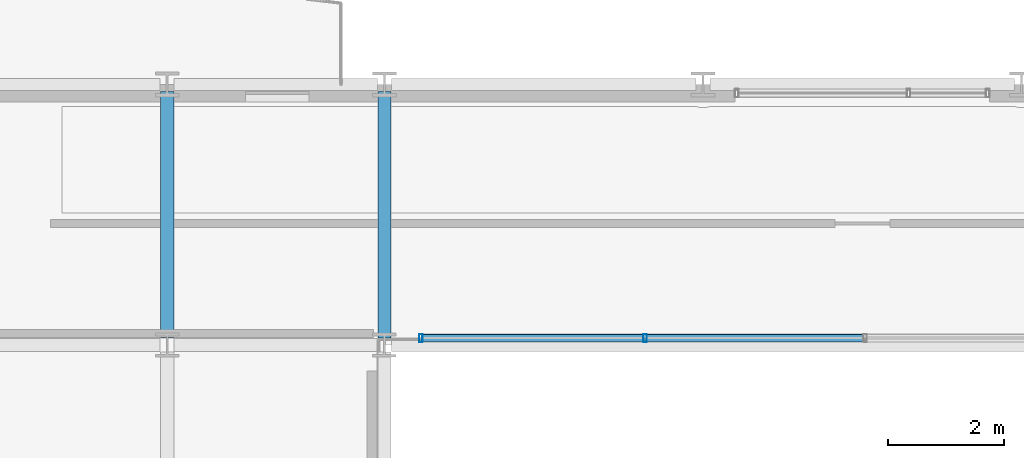
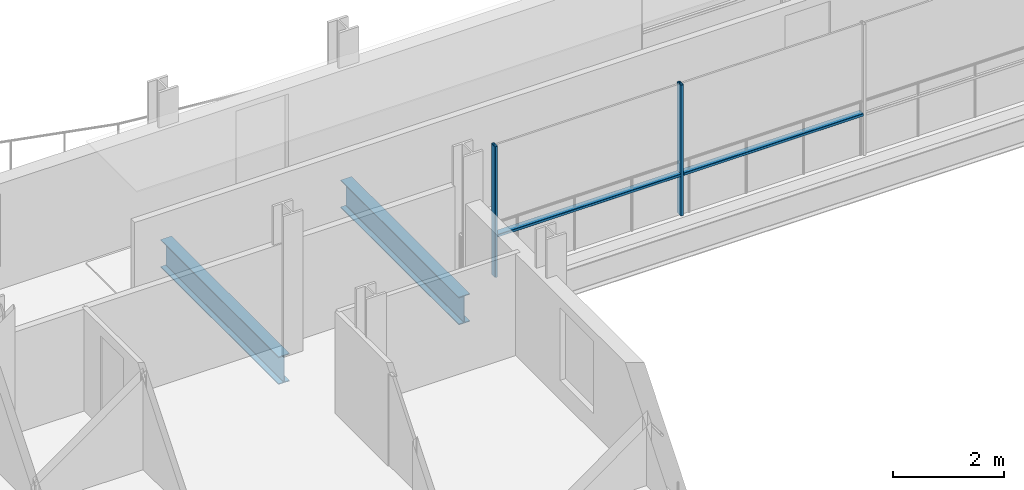
# One storey, part 9 of 41: 4 members, 2 beams, 1 element without a shape of its own.
"""IFC4 building model written with IfcOpenShell, lengths in metres."""

import ifcopenshell
import ifcopenshell.guid

model = None  # the IFC model being written
_history = None  # IfcOwnerHistory: only IFC2X3 demands one
_inside = {}  # id of a spatial element -> (the spatial element, [elements in it])
_under = {}  # id of a project, library or spatial element -> (it, [spatial elements below it])
_declared = {}  # id of a project -> (the project, [libraries it declares])
_typed = {}  # id of a type object -> (the type object, [elements of that type])
_made_of = {}  # id of a material, layer set ... -> (it, [elements and type objects made of it])


def new_model(schema):
    """Start an empty IFC model of exactly this schema.

    Asked for "IFC4X3", IfcOpenShell would pick the latest addendum, in which some entities
    have other attributes; the version numbers below select the first issue.
    IFC2X3 requires an IfcOwnerHistory on every rooted entity: one is made here for all.
    """
    global model, _history
    if schema == "IFC4X3":
        model = ifcopenshell.file(schema_version=(4, 3, 0, 0))
    else:
        model = ifcopenshell.file(schema=schema)
    _inside.clear()
    _under.clear()
    _declared.clear()
    _typed.clear()
    _made_of.clear()
    _history = None
    if model.schema == "IFC2X3":
        org = make("IfcOrganization", Name="unknown")
        user = make(
            "IfcPersonAndOrganization",
            ThePerson=make("IfcPerson", FamilyName="unknown"),
            TheOrganization=org,
        )
        app = make(
            "IfcApplication",
            ApplicationDeveloper=org,
            Version="unknown",
            ApplicationFullName="unknown",
            ApplicationIdentifier="unknown",
        )
        _history = make(
            "IfcOwnerHistory",
            OwningUser=user,
            OwningApplication=app,
            ChangeAction="ADDED",
            CreationDate=0,
        )
    return model


def make(cls, **values):
    """One entity of the class cls with the attributes given. An attribute that is None is left unset."""
    return model.create_entity(
        cls, **{name: value for name, value in values.items() if value is not None}
    )


def rooted(cls, **values):
    """An entity with a GlobalId (a new one), such as an element, a storey or a relation."""
    return make(cls, GlobalId=ifcopenshell.guid.new(), OwnerHistory=_history, **values)


def si_unit(unit_type, name, prefix=None):
    """IfcSIUnit, for example si_unit("LENGTHUNIT", "METRE", prefix="MILLI")."""
    return make("IfcSIUnit", UnitType=unit_type, Prefix=prefix, Name=name)


def assignment(units):
    """IfcUnitAssignment: the units of a project."""
    return None if units is None else make("IfcUnitAssignment", Units=units)


def point(xyz):
    """IfcCartesianPoint."""
    return None if xyz is None else make("IfcCartesianPoint", Coordinates=xyz)


def direction(xyz):
    """IfcDirection."""
    return None if xyz is None else make("IfcDirection", DirectionRatios=xyz)


def frame(location, z_axis=None, x_axis=None):
    """IfcAxis2Placement3D, a coordinate frame: its origin and axes. An axis left out is left unset."""
    return make(
        "IfcAxis2Placement3D",
        Location=point(location),
        Axis=direction(z_axis),
        RefDirection=direction(x_axis),
    )


def frame_2d(location, x_axis=None):
    """IfcAxis2Placement2D, a coordinate frame in the plane: its origin and x axis."""
    return make(
        "IfcAxis2Placement2D", Location=point(location), RefDirection=direction(x_axis)
    )


def origin():
    """The frame at (0, 0, 0) with its axes left unset."""
    return frame((0.0, 0.0, 0.0))


def origin_2d():
    """The frame at (0, 0) in the plane with its x axis left unset."""
    return frame_2d((0.0, 0.0))


def place(relative_to, where):
    """IfcLocalPlacement: puts the frame where relative to a parent placement (None: the world)."""
    return make(
        "IfcLocalPlacement", PlacementRelTo=relative_to, RelativePlacement=where
    )


def context(
    kind, dimensions, precision=None, world=None, true_north=None, identifier=None
):
    """IfcGeometricRepresentationContext, for example the 3D "Model" context."""
    return make(
        "IfcGeometricRepresentationContext",
        ContextIdentifier=identifier,
        ContextType=kind,
        CoordinateSpaceDimension=dimensions,
        Precision=precision,
        WorldCoordinateSystem=world,
        TrueNorth=true_north,
    )


def subcontext(parent, identifier, kind, view, scale=None):
    """IfcGeometricRepresentationSubContext, for example "Body" below "Model"."""
    return make(
        "IfcGeometricRepresentationSubContext",
        ContextIdentifier=identifier,
        ContextType=kind,
        ParentContext=parent,
        TargetScale=scale,
        TargetView=view,
    )


def project(units=None, contexts=None):
    """IfcProject with its units and contexts."""
    return rooted(
        "IfcProject",
        Name="project",
        RepresentationContexts=contexts,
        UnitsInContext=assignment(units),
    )


def spatial(cls, under=None, at=None, **own):
    """A site, building, storey or space (cls), placed at a placement, below another one or the project."""
    s = rooted(cls, ObjectPlacement=at, **own)
    if under is not None:
        _under.setdefault(under.id(), (under, []))[1].append(s)
    return s


def profile(cls, at=None, kind="AREA", **sizes):
    """A parametric profile (cls). Its sizes go by their IFC names, for example OverallWidth=200.0."""
    return make(cls, ProfileType=kind, Position=at, **sizes)


def hollow_rectangle(**sizes):
    """IfcRectangleHollowProfileDef."""
    return profile("IfcRectangleHollowProfileDef", **sizes)


def i_section(**sizes):
    """IfcIShapeProfileDef."""
    return profile("IfcIShapeProfileDef", **sizes)


def extrude(swept, where, along, depth):
    """IfcExtrudedAreaSolid: the profile swept, set in the frame where, extruded along a direction by depth."""
    return make(
        "IfcExtrudedAreaSolid",
        SweptArea=swept,
        Position=where,
        ExtrudedDirection=direction(along),
        Depth=depth,
    )


def shape(context_of_items, identifier, shape_type, items):
    """IfcShapeRepresentation: the items that make up one representation, for example the "Body"."""
    return make(
        "IfcShapeRepresentation",
        ContextOfItems=context_of_items,
        RepresentationIdentifier=identifier,
        RepresentationType=shape_type,
        Items=items,
    )


def material(Name=None, Category=None):
    """IfcMaterial."""
    return make("IfcMaterial", Name=Name, Category=Category)


def layer(
    of_material, thickness, ventilated=None, Name=None, Category=None, Priority=None
):
    """IfcMaterialLayer: one layer of a wall or slab, of a material (None: an air gap)."""
    return make(
        "IfcMaterialLayer",
        Material=of_material,
        LayerThickness=thickness,
        IsVentilated=ventilated,
        Name=Name,
        Category=Category,
        Priority=Priority,
    )


def layer_set(layers, Name=None):
    """IfcMaterialLayerSet."""
    return make("IfcMaterialLayerSet", MaterialLayers=layers, LayerSetName=Name)


def material_profile(
    of_material, cross_section, Name=None, Category=None, Priority=None
):
    """IfcMaterialProfile: a cross section and its material."""
    return make(
        "IfcMaterialProfile",
        Name=Name,
        Material=of_material,
        Profile=cross_section,
        Priority=Priority,
        Category=Category,
    )


def profile_set(profiles, Name=None, composite=None):
    """IfcMaterialProfileSet."""
    return make(
        "IfcMaterialProfileSet",
        Name=Name,
        MaterialProfiles=profiles,
        CompositeProfile=composite,
    )


def made_of(thing, what):
    """Note that an element or type object is made of a material, layer set ...; save() writes the relation."""
    if what is not None:
        _made_of.setdefault(what.id(), (what, []))[1].append(thing)
    return thing


def type_object(cls, material=None, **own):
    """A type object (cls), such as IfcWallType, which elements share."""
    return made_of(rooted(cls, **own), material)


def element(
    cls,
    number,
    at=None,
    inside=None,
    cuts=None,
    type_object=None,
    material=None,
    context=None,
    identifier="Body",
    shape_type=None,
    held_by="IfcProductDefinitionShape",
    body=None,
    shapes=None,
    **own,
):
    """One element of the class cls, such as IfcWall. Its Tag is "e" and its number.

    at: its placement. inside: the storey or other place that contains it. cuts: it is an
    opening in that element (IfcRelVoidsElement). A single representation is given by context,
    identifier, shape_type and body (its items); several are given by shapes. held_by: the class
    of the entity that holds the representations. save() writes the other relations.
    """
    e = rooted(cls, Tag="e%d" % number, ObjectPlacement=at, **own)
    if body is not None:
        shapes = [shape(context, identifier, shape_type, body)]
    if shapes is not None:
        e.Representation = make(held_by, Representations=shapes)
    if inside is not None:
        _inside.setdefault(inside.id(), (inside, []))[1].append(e)
    if cuts is not None:
        rooted(
            "IfcRelVoidsElement", RelatingBuildingElement=cuts, RelatedOpeningElement=e
        )
    if type_object is not None:
        _typed.setdefault(type_object.id(), (type_object, []))[1].append(e)
    return made_of(e, material)


def aggregate(whole, parts):
    """IfcRelAggregates: a whole, such as a stair, and the parts it consists of."""
    return rooted("IfcRelAggregates", RelatingObject=whole, RelatedObjects=parts)


def save(model, path):
    """Write the relations noted so far, then the file.

    IfcRelAggregates (storeys below a building ...), IfcRelContainedInSpatialStructure (elements
    in a storey), IfcRelDefinesByType, IfcRelAssociatesMaterial and IfcRelDeclares: one each for
    every whole, place, type object, material and project.
    """
    for whole, parts in _under.values():
        aggregate(whole, parts)
    for where, things in _inside.values():
        rooted(
            "IfcRelContainedInSpatialStructure",
            RelatedElements=things,
            RelatingStructure=where,
        )
    for kind, things in _typed.values():
        rooted("IfcRelDefinesByType", RelatedObjects=things, RelatingType=kind)
    for what, things in _made_of.values():
        rooted("IfcRelAssociatesMaterial", RelatedObjects=things, RelatingMaterial=what)
    for by, libraries in _declared.values():
        rooted("IfcRelDeclares", RelatingContext=by, RelatedDefinitions=libraries)
    model.write(path)


model = new_model("IFC4")

# Units and contexts
model_context = context("Model", 3, precision=1e-05, world=origin(), true_north=direction((0.0, 1.0)))
body_context = subcontext(model_context, "Body", "Model", "MODEL_VIEW")
ifc_project = project(units=[si_unit("LENGTHUNIT", "METRE"), si_unit("AREAUNIT", "SQUARE_METRE"), si_unit("VOLUMEUNIT", "CUBIC_METRE"), si_unit("PLANEANGLEUNIT", "RADIAN"), si_unit("MASSUNIT", "GRAM", prefix="KILO")], contexts=[model_context])

# Site, building, storey
site_placement = place(None, origin())
site = spatial("IfcSite", under=ifc_project, at=site_placement, CompositionType="ELEMENT")
building_placement = place(site_placement, origin())
building = spatial("IfcBuilding", under=site, at=building_placement, Name="Brevholm Reach", CompositionType="ELEMENT")
storey_placement = place(building_placement, frame((0.0, 0.0, 112.800048828125)))
storey = spatial("IfcBuildingStorey", under=building, at=storey_placement, Name="L33", CompositionType="ELEMENT", Elevation=112.800048828125)

# Beams
ifc_material_1 = material(Name="Structural Steel S355J2", Category="steel")
ifc_material_profile_1 = material_profile(ifc_material_1, i_section(OverallWidth=0.22900390625, OverallDepth=0.6123046875, WebThickness=0.011962890625, FlangeThickness=0.01953125, FilletRadius=0.0126953125, at=origin_2d()), Name="UKB 610x229x125")
ifc_profile_set_1 = profile_set([ifc_material_profile_1], Name="Structural Steel S355J2")
beam_type = type_object("IfcBeamType", Name="BM-SP610", PredefinedType="SPANDREL", material=ifc_profile_set_1)
for number, where, z_axis, x_axis, name in (
    (1, (18.0, 26.6201171875, -0.526123046875), (0.0, 1.0, 0.0), (-1.0, 0.0, 0.0), "L33 SP-01 Framing Beam"),
    (2, (21.75, 26.6201171875, -0.526123046875), (0.0, 1.0, 0.0), (-1.0, 0.0, 0.0), "L33 SP-01 Framing Beam"),
):
    element("IfcBeam", number, at=place(storey_placement, frame(where, z_axis=z_axis, x_axis=x_axis)), inside=storey, type_object=beam_type, Name=name, PredefinedType="SPANDREL", context=body_context, shape_type="SweptSolid", body=[
        extrude(i_section(OverallWidth=0.22900390625, OverallDepth=0.6123046875, WebThickness=0.011962890625, FlangeThickness=0.01953125, FilletRadius=0.0126953125, at=origin_2d()), origin(), (0.0, 0.0, 1.0), 4.259765625),
    ])

# Curtain wall, members
ifc_material_2 = material(Name="Dark Anodised Aluminium 6063-T6 and Solar-Control Glass", Category="aluminium")
ifc_layer = layer(ifc_material_2, 0.139892578125)
ifc_layer_set = layer_set([ifc_layer], Name="Dark Anodised Aluminium 6063-T6 and Solar-Control Glass")
curtain_wall_type = type_object("IfcCurtainWallType", Name="CW-02", PredefinedType="NOTDEFINED", material=ifc_layer_set)
curtain_wall_placement = place(storey_placement, origin())
curtain_wall = element("IfcCurtainWall", 3, at=curtain_wall_placement, inside=storey, type_object=curtain_wall_type, Name="L33 Curtain Wall CW-02", PredefinedType="NOTDEFINED")
ifc_material_3 = material(Name="Dark Anodised Aluminium 6063-T6", Category="aluminium")
ifc_material_profile_2 = material_profile(ifc_material_3, hollow_rectangle(XDim=0.06005859375, YDim=0.139892578125, WallThickness=0.0048828125, InnerFilletRadius=0.0048828125, OuterFilletRadius=0.010009765625, at=origin_2d()), Name="RHS 140x60x5")
ifc_profile_set_2 = profile_set([ifc_material_profile_2], Name="Dark Anodised Aluminium 6063-T6")
member_type_1 = type_object("IfcMemberType", Name="CWM-140", PredefinedType="MULLION", material=ifc_profile_set_2)
member_1_placement = place(storey_placement, frame((26.25, 26.6201171875, 0.0), z_axis=(0.0, 0.0, 1.0), x_axis=(-1.0, 0.0, 0.0)))
member_1 = element("IfcMember", 4, at=member_1_placement, type_object=member_type_1, Name="CM-140 Mullion 4", PredefinedType="MULLION", context=body_context, shape_type="SweptSolid", body=[
    extrude(hollow_rectangle(XDim=0.06005859375, YDim=0.139892578125, WallThickness=0.0048828125, InnerFilletRadius=0.0048828125, OuterFilletRadius=0.010009765625, at=origin_2d()), origin(), (0.0, 0.0, 1.0), 2.8798828125),
])
member_2_placement = place(storey_placement, frame((22.3798828125, 26.6201171875, 0.0), z_axis=(0.0, 0.0, 1.0), x_axis=(-1.0, 0.0, 0.0)))
member_2 = element("IfcMember", 5, at=member_2_placement, type_object=member_type_1, Name="CM-140 Mullion 5", PredefinedType="MULLION", context=body_context, shape_type="SweptSolid", body=[
    extrude(hollow_rectangle(XDim=0.06005859375, YDim=0.139892578125, WallThickness=0.0048828125, InnerFilletRadius=0.0048828125, OuterFilletRadius=0.010009765625, at=origin_2d()), origin(), (0.0, 0.0, 1.0), 2.8798828125),
])
ifc_material_4 = material(Name="Dark Anodised Aluminium 6063-T6", Category="aluminium")
ifc_material_profile_3 = material_profile(ifc_material_4, hollow_rectangle(XDim=0.06005859375, YDim=0.139892578125, WallThickness=0.0048828125, InnerFilletRadius=0.0048828125, OuterFilletRadius=0.010009765625, at=origin_2d()), Name="RHS 140x60x5")
ifc_profile_set_3 = profile_set([ifc_material_profile_3], Name="Dark Anodised Aluminium 6063-T6")
member_type_2 = type_object("IfcMemberType", Name="CWT-140", PredefinedType="NOTDEFINED", material=ifc_profile_set_3)
member_3_placement = place(storey_placement, frame((30.02001953125, 26.6201171875, 0.89990234375), z_axis=(-1.0, 0.0, 0.0), x_axis=(0.0, 0.0, 1.0)))
member_3 = element("IfcMember", 6, at=member_3_placement, type_object=member_type_2, Name="CT-140 Transom 3.1", ObjectType="TRANSOM", PredefinedType="USERDEFINED", context=body_context, shape_type="SweptSolid", body=[
    extrude(hollow_rectangle(XDim=0.06005859375, YDim=0.139892578125, WallThickness=0.0048828125, InnerFilletRadius=0.0048828125, OuterFilletRadius=0.010009765625, at=origin_2d()), origin(), (0.0, 0.0, 1.0), 3.739990234375),
])
member_4_placement = place(storey_placement, frame((26.219970703125, 26.6201171875, 0.89990234375), z_axis=(-1.0, 0.0, 0.0), x_axis=(0.0, 0.0, 1.0)))
member_4 = element("IfcMember", 7, at=member_4_placement, type_object=member_type_2, Name="CT-140 Transom 4.1", ObjectType="TRANSOM", PredefinedType="USERDEFINED", context=body_context, shape_type="SweptSolid", body=[
    extrude(hollow_rectangle(XDim=0.06005859375, YDim=0.139892578125, WallThickness=0.0048828125, InnerFilletRadius=0.0048828125, OuterFilletRadius=0.010009765625, at=origin_2d()), origin(), (0.0, 0.0, 1.0), 3.81005859375),
])
aggregate(curtain_wall, [member_1, member_2, member_3, member_4])

save(model, "model.ifc")
